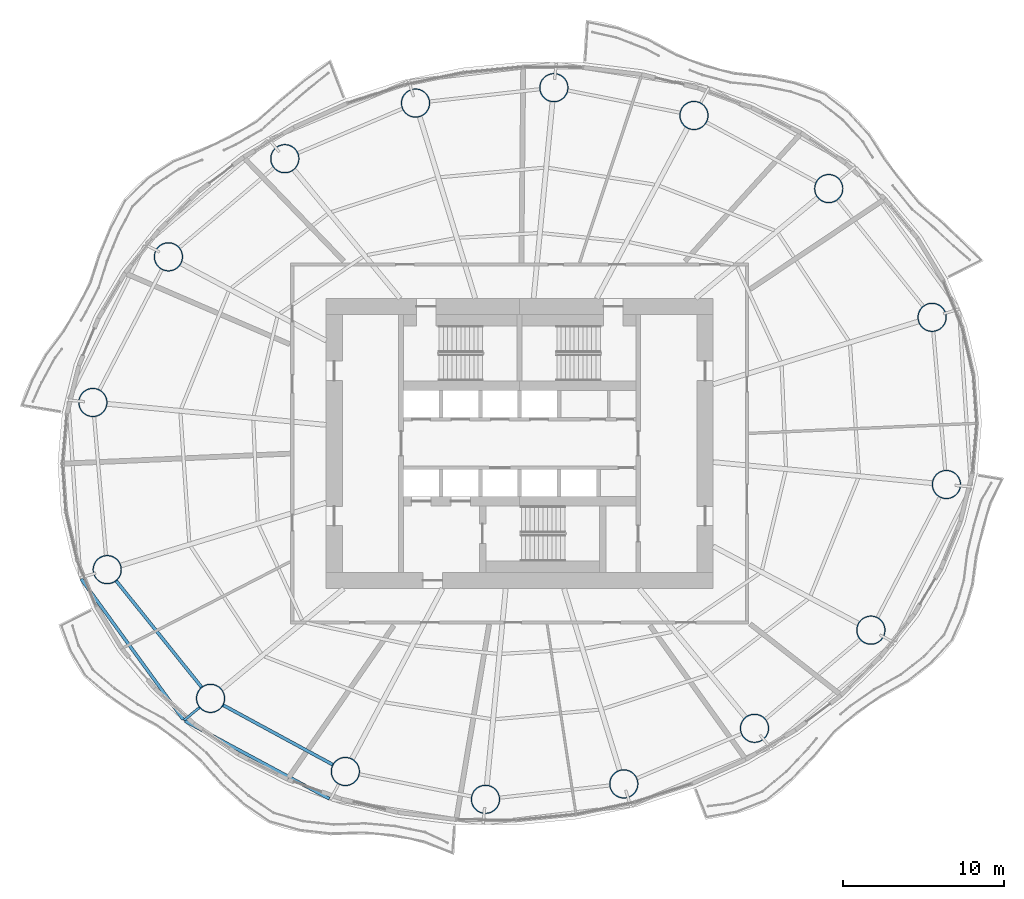
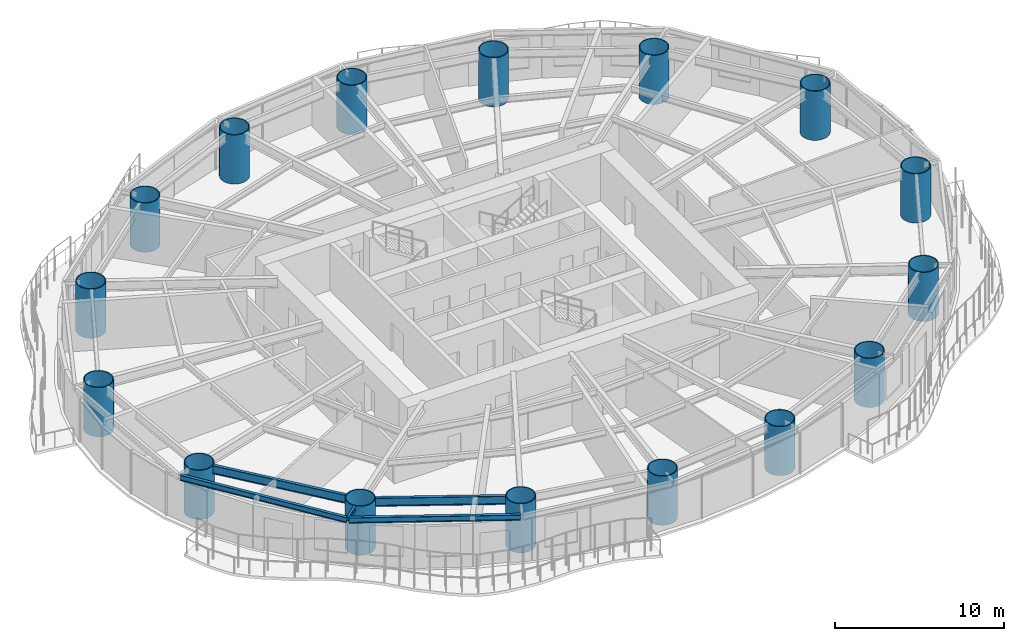
# One storey, part 1 of 16: 16 columns, 5 beams.
"""IFC4 building model written with IfcOpenShell, lengths in metres."""

from ifc_helpers import new_model, si_unit, direction, frame, origin, origin_2d, place, context, subcontext, project, spatial, hollow_circle, i_section, extrude, material, material_profile, profile_set, type_object, element, save


model = new_model("IFC4")

# Units and contexts
model_context = context("Model", 3, precision=1e-05, world=origin(), true_north=direction((0.0, 1.0)))
body_context = subcontext(model_context, "Body", "Model", "MODEL_VIEW")
ifc_project = project(units=[si_unit("LENGTHUNIT", "METRE"), si_unit("AREAUNIT", "SQUARE_METRE"), si_unit("VOLUMEUNIT", "CUBIC_METRE"), si_unit("PLANEANGLEUNIT", "RADIAN"), si_unit("MASSUNIT", "GRAM", prefix="KILO")], contexts=[model_context])

# Site, building, storey
site_placement = place(None, origin())
site = spatial("IfcSite", under=ifc_project, at=site_placement, CompositionType="ELEMENT")
building_placement = place(site_placement, origin())
building = spatial("IfcBuilding", under=site, at=building_placement, Name="Vermilion Reach Broadcast Tower", CompositionType="ELEMENT")
storey_placement = place(building_placement, frame((0.0, 0.0, 69.300048828125)))
storey = spatial("IfcBuildingStorey", under=building, at=storey_placement, Name="L14", CompositionType="ELEMENT", Elevation=69.300048828125)

# Columns
ifc_material_1 = material(Name="Concrete C80 infill in steel S460NL tube", Category="concrete")
ifc_material_profile_1 = material_profile(ifc_material_1, hollow_circle(Radius=0.89990234375, WallThickness=0.06005859375, at=origin_2d()), Name="Concrete C80 infill in steel S460NL tube CFT 1800x60")
ifc_profile_set_1 = profile_set([ifc_material_profile_1], Name="Concrete C80 infill in steel S460NL tube")
column_type = type_object("IfcColumnType", Name="MC1 CFT 1800x60", PredefinedType="COLUMN", material=ifc_profile_set_1)
for number, where, z_axis, x_axis, name in (
    (1, (19.575439453125, 7.823974609375, 0.0), (0.0, 0.0, 1.0), (1.0, 0.0, 0.0), "Mega-column MC1-01"),
    (2, (13.166259765625, 15.804931640625, 0.0), (0.0, 0.0, 1.0), (1.0, 0.0, 0.0), "Mega-column MC1-02"),
    (3, (4.809814453125, 20.3388671875, 0.0), (0.0, 0.0, 1.0), (1.0, 0.0, 0.0), "Mega-column MC1-03"),
    (4, (-3.87939453125, 22.06396484375, 0.0), (0.0, 0.0, 1.0), (1.0, 0.0, 0.0), "Mega-column MC1-04"),
    (5, (-12.45751953125, 21.108154296875, 0.0), (0.0, 0.0, 1.0), (1.0, 0.0, 0.0), "Mega-column MC1-05"),
    (6, (-20.563232421875, 17.660400390625, 0.0), (0.0, 0.0, 1.0), (1.0, 0.0, 0.0), "Mega-column MC1-06"),
    (7, (-27.77978515625, 11.57568359375, 0.0), (0.0, 0.0, 1.0), (1.0, 0.0, 0.0), "Mega-column MC1-07"),
    (8, (-32.464111328125, 2.54345703125, 0.0), (0.0, 0.0, 1.0), (1.0, 0.0, 0.0), "Mega-column MC1-08"),
    (9, (-31.575439453125, -7.823974609375, 0.0), (0.0, 0.0, 1.0), (1.0, 0.0, 0.0), "Mega-column MC1-09"),
    (10, (-25.166259765625, -15.804931640625, 0.0), (0.0, 0.0, 1.0), (1.0, 0.0, 0.0), "Mega-column MC1-10"),
    (11, (-16.809814453125, -20.3388671875, 0.0), (0.0, 0.0, 1.0), (1.0, 0.0, 0.0), "Mega-column MC1-11"),
    (12, (-8.12060546875, -22.06396484375, 0.0), (0.0, 0.0, 1.0), (1.0, 0.0, 0.0), "Mega-column MC1-12"),
    (13, (0.45751953125, -21.108154296875, 0.0), (0.0, 0.0, 1.0), (1.0, 0.0, 0.0), "Mega-column MC1-13"),
    (14, (8.563232421875, -17.660400390625, 0.0), (0.0, 0.0, 1.0), (1.0, 0.0, 0.0), "Mega-column MC1-14"),
    (15, (15.77978515625, -11.57568359375, 0.0), (0.0, 0.0, 1.0), (1.0, 0.0, 0.0), "Mega-column MC1-15"),
    (16, (20.464111328125, -2.54345703125, 0.0), (0.0, 0.0, 1.0), (1.0, 0.0, 0.0), "Mega-column MC1-16"),
):
    element("IfcColumn", number, at=place(storey_placement, frame(where, z_axis=z_axis, x_axis=x_axis)), inside=storey, type_object=column_type, Name=name, PredefinedType="COLUMN", context=body_context, shape_type="SweptSolid", body=[
        extrude(hollow_circle(Radius=0.89990234375, WallThickness=0.06005859375, at=origin_2d()), origin(), (0.0, 0.0, 1.0), 3.550048828125),
    ])

# Beams
ifc_material_2 = material(Name="Steel S355J2", Category="steel")
ifc_material_profile_2 = material_profile(ifc_material_2, i_section(OverallWidth=0.199951171875, OverallDepth=0.39990234375, WebThickness=0.008056640625, FlangeThickness=0.012939453125, at=origin_2d()), Name="S355J2 HN 400x200x8x13")
ifc_profile_set_2 = profile_set([ifc_material_profile_2], Name="Steel S355J2")
beam_type_1 = type_object("IfcBeamType", Name="EB1 HN 400x200x8x13", PredefinedType="BEAM", material=ifc_profile_set_2)
beam_1_placement = place(storey_placement, frame((-33.193115234375, -8.3974609375, 3.349853515625), z_axis=(0.587729390934, -0.809057577081, 0.0), x_axis=(0.809057577081, 0.587729390934, 0.0)))
element("IfcBeam", 17, at=beam_1_placement, inside=storey, type_object=beam_type_1, Name="Edge beam EB1-09", PredefinedType="BEAM", context=body_context, shape_type="SweptSolid", body=[
    extrude(i_section(OverallWidth=0.199951171875, OverallDepth=0.39990234375, WebThickness=0.008056640625, FlangeThickness=0.012939453125, at=origin_2d()), origin(), (0.0, 0.0, 1.0), 10.76708984375),
])
beam_2_placement = place(storey_placement, frame((-26.74951171875, -17.207763671875, 3.349853515625), z_axis=(0.880271409358, -0.474470489985, 0.0), x_axis=(0.474470489985, 0.880271409358, 0.0)))
element("IfcBeam", 18, at=beam_2_placement, inside=storey, type_object=beam_type_1, Name="Edge beam EB1-10", PredefinedType="BEAM", context=body_context, shape_type="SweptSolid", body=[
    extrude(i_section(OverallWidth=0.199951171875, OverallDepth=0.39990234375, WebThickness=0.008056640625, FlangeThickness=0.012939453125, at=origin_2d()), origin(), (0.0, 0.0, 1.0), 10.171630859375),
])
ifc_material_3 = material(Name="Steel S355J2", Category="steel")
ifc_material_profile_3 = material_profile(ifc_material_3, i_section(OverallWidth=0.14990234375, OverallDepth=0.300048828125, WebThickness=0.006591796875, FlangeThickness=0.009033203125, at=origin_2d()), Name="S355J2 HN 300x150x6.5x9")
ifc_profile_set_3 = profile_set([ifc_material_profile_3], Name="Steel S355J2")
beam_type_2 = type_object("IfcBeamType", Name="GS1 HN 300x150x6.5x9", PredefinedType="BEAM", material=ifc_profile_set_3)
beam_3_placement = place(storey_placement, frame((-25.860595703125, -16.377685546875, 3.39990234375), z_axis=(-0.771539366313, -0.636181582749, 0.0), x_axis=(0.636181582749, -0.771539366313, 0.0)))
element("IfcBeam", 19, at=beam_3_placement, inside=storey, type_object=beam_type_2, Name="Cantilever stub GS1-10", PredefinedType="BEAM", context=body_context, shape_type="SweptSolid", body=[
    extrude(i_section(OverallWidth=0.14990234375, OverallDepth=0.300048828125, WebThickness=0.006591796875, FlangeThickness=0.009033203125, at=origin_2d()), origin(), (0.0, 0.0, 1.0), 1.24462890625),
])
ifc_material_4 = material(Name="Steel S355J2", Category="steel")
ifc_material_profile_4 = material_profile(ifc_material_4, i_section(OverallWidth=0.199951171875, OverallDepth=0.60009765625, WebThickness=0.010986328125, FlangeThickness=0.01708984375, at=origin_2d()), Name="S355J2 HN 600x200x11x17")
ifc_profile_set_4 = profile_set([ifc_material_profile_4], Name="Steel S355J2")
beam_type_3 = type_object("IfcBeamType", Name="RB1 HN 600x200x11x17", PredefinedType="BEAM", material=ifc_profile_set_4)
beam_4_placement = place(storey_placement, frame((-31.011962890625, -8.52587890625, 3.25), z_axis=(0.626162157191, -0.779692858055, 0.0), x_axis=(0.779692858055, 0.626162157191, 0.0)))
element("IfcBeam", 20, at=beam_4_placement, inside=storey, type_object=beam_type_3, Name="Ring beam RB1-09", PredefinedType="BEAM", context=body_context, shape_type="SweptSolid", body=[
    extrude(i_section(OverallWidth=0.199951171875, OverallDepth=0.60009765625, WebThickness=0.010986328125, FlangeThickness=0.01708984375, at=origin_2d()), origin(), (0.0, 0.0, 1.0), 8.435791015625),
])
beam_5_placement = place(storey_placement, frame((-24.375244140625, -16.234130859375, 3.25), z_axis=(0.878962319551, -0.476891225344, 0.0), x_axis=(0.476891225344, 0.878962319551, 0.0)))
element("IfcBeam", 21, at=beam_5_placement, inside=storey, type_object=beam_type_3, Name="Ring beam RB1-10", PredefinedType="BEAM", context=body_context, shape_type="SweptSolid", body=[
    extrude(i_section(OverallWidth=0.199951171875, OverallDepth=0.60009765625, WebThickness=0.010986328125, FlangeThickness=0.01708984375, at=origin_2d()), origin(), (0.0, 0.0, 1.0), 7.707275390625),
])

save(model, "model.ifc")
